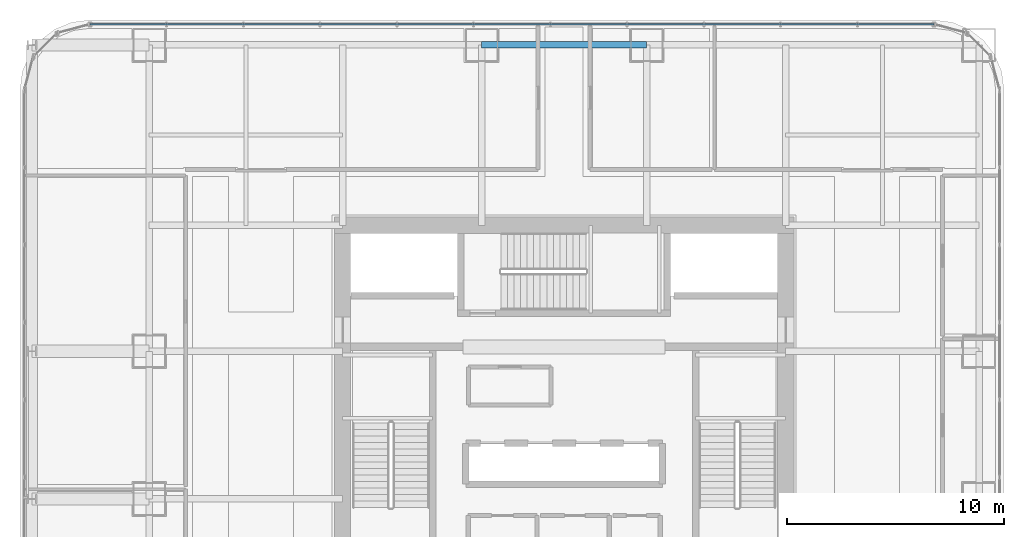
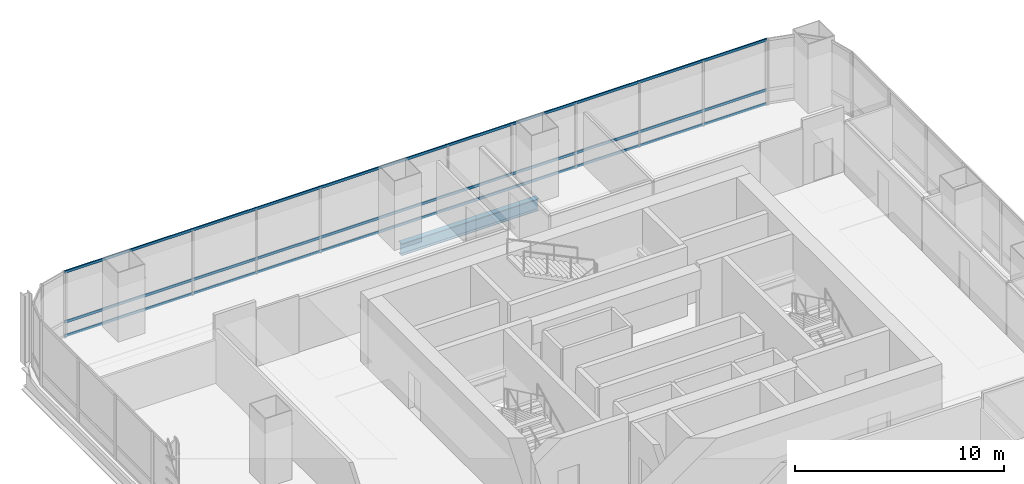
# One storey, part 22 of 36: 3 members, 1 beam, 1 element without a shape of its own.
"""IFC4 building model written with IfcOpenShell, lengths in metres."""

from ifc_helpers import new_model, si_unit, direction, frame, origin, origin_2d, place, context, subcontext, project, spatial, hollow_rectangle, i_section, extrude, material, material_profile, profile_set, type_object, element, aggregate, save


model = new_model("IFC4")

# Units and contexts
model_context = context("Model", 3, precision=1e-05, world=origin(), true_north=direction((0.0, 1.0)))
body_context = subcontext(model_context, "Body", "Model", "MODEL_VIEW")
ifc_project = project(units=[si_unit("LENGTHUNIT", "METRE"), si_unit("AREAUNIT", "SQUARE_METRE"), si_unit("VOLUMEUNIT", "CUBIC_METRE"), si_unit("PLANEANGLEUNIT", "RADIAN"), si_unit("MASSUNIT", "GRAM", prefix="KILO")], contexts=[model_context])

# Site, building, storey
site_placement = place(None, origin())
site = spatial("IfcSite", under=ifc_project, at=site_placement, CompositionType="ELEMENT")
building_placement = place(site_placement, origin())
building = spatial("IfcBuilding", under=site, at=building_placement, Name="Punatoya Terracotta Tower", CompositionType="ELEMENT")
storey_placement = place(building_placement, frame((0.0, 0.0, 40.35009765625)))
storey = spatial("IfcBuildingStorey", under=building, at=storey_placement, Name="L08", CompositionType="ELEMENT", Elevation=40.35009765625)

# Beam
ifc_material_1 = material(Name="Steel S355", Category="steel")
ifc_material_profile_1 = material_profile(ifc_material_1, i_section(OverallWidth=0.300048828125, OverallDepth=0.699951171875, WebThickness=0.01708984375, FlangeThickness=0.031982421875, FilletRadius=0.01806640625, at=origin_2d()))
ifc_profile_set_1 = profile_set([ifc_material_profile_1], Name="Steel S355")
beam_type = type_object("IfcBeamType", Name="BM-PRI-700", PredefinedType="BEAM", material=ifc_profile_set_1)
beam_placement = place(storey_placement, frame((-3.800048828125, 17.5, -0.590087890625), z_axis=(1.0, 0.0, 0.0), x_axis=(0.0, 1.0, 0.0)))
element("IfcBeam", 1, at=beam_placement, inside=storey, type_object=beam_type, Name="BM-L08-RG-N2", PredefinedType="BEAM", context=body_context, shape_type="SweptSolid", body=[
    extrude(i_section(OverallWidth=0.300048828125, OverallDepth=0.699951171875, WebThickness=0.01708984375, FlangeThickness=0.031982421875, FilletRadius=0.01806640625, at=origin_2d()), origin(), (0.0, 0.0, 1.0), 7.60009765625),
])

# Curtain wall, members
ifc_material_2 = material(Name="Aluminium 6063-T6 + Double Low-E Glass", Category="aluminium")
curtain_wall_type = type_object("IfcCurtainWallType", Name="CW-M1", PredefinedType="NOTDEFINED", material=ifc_material_2)
curtain_wall_placement = place(storey_placement, origin())
curtain_wall = element("IfcCurtainWall", 2, at=curtain_wall_placement, inside=storey, type_object=curtain_wall_type, Name="L08 Curtain Wall CW-L08-N09-1", PredefinedType="NOTDEFINED")
ifc_material_3 = material(Name="Aluminium 6063-T6", Category="aluminium")
ifc_material_profile_2 = material_profile(ifc_material_3, hollow_rectangle(XDim=0.068115234375, YDim=0.14990234375, WallThickness=0.00390625, at=origin_2d()))
ifc_profile_set_2 = profile_set([ifc_material_profile_2], Name="Aluminium 6063-T6")
member_type = type_object("IfcMemberType", Name="CW-TRN-TYP", PredefinedType="USERDEFINED", material=ifc_profile_set_2)
member_1_placement = place(storey_placement, frame((17.036865234375, 18.449951171875, 0.039794921875), z_axis=(-1.0, 0.0, 0.0), x_axis=(0.0, -1.0, 0.0)))
member_1 = element("IfcMember", 3, at=member_1_placement, type_object=member_type, Name="CW-L08-N09-1 Transom 1", ObjectType="TRANSOM", PredefinedType="USERDEFINED", context=body_context, shape_type="SweptSolid", body=[
    extrude(hollow_rectangle(XDim=0.068115234375, YDim=0.14990234375, WallThickness=0.00390625, at=origin_2d()), origin(), (0.0, 0.0, 1.0), 38.873779296875),
])
member_2_placement = place(storey_placement, frame((17.036865234375, 18.449951171875, 0.849853515625), z_axis=(-1.0, 0.0, 0.0), x_axis=(0.0, -1.0, 0.0)))
member_2 = element("IfcMember", 4, at=member_2_placement, type_object=member_type, Name="CW-L08-N09-1 Transom 2", ObjectType="TRANSOM", PredefinedType="USERDEFINED", context=body_context, shape_type="SweptSolid", body=[
    extrude(hollow_rectangle(XDim=0.068115234375, YDim=0.14990234375, WallThickness=0.00390625, at=origin_2d()), origin(), (0.0, 0.0, 1.0), 38.873779296875),
])
member_3_placement = place(storey_placement, frame((17.036865234375, 18.449951171875, 3.77001953125), z_axis=(-1.0, 0.0, 0.0), x_axis=(0.0, -1.0, 0.0)))
member_3 = element("IfcMember", 5, at=member_3_placement, type_object=member_type, Name="CW-L08-N09-1 Transom 3", ObjectType="TRANSOM", PredefinedType="USERDEFINED", context=body_context, shape_type="SweptSolid", body=[
    extrude(hollow_rectangle(XDim=0.068115234375, YDim=0.14990234375, WallThickness=0.00390625, at=origin_2d()), origin(), (0.0, 0.0, 1.0), 38.873779296875),
])
aggregate(curtain_wall, [member_1, member_2, member_3])

save(model, "model.ifc")
